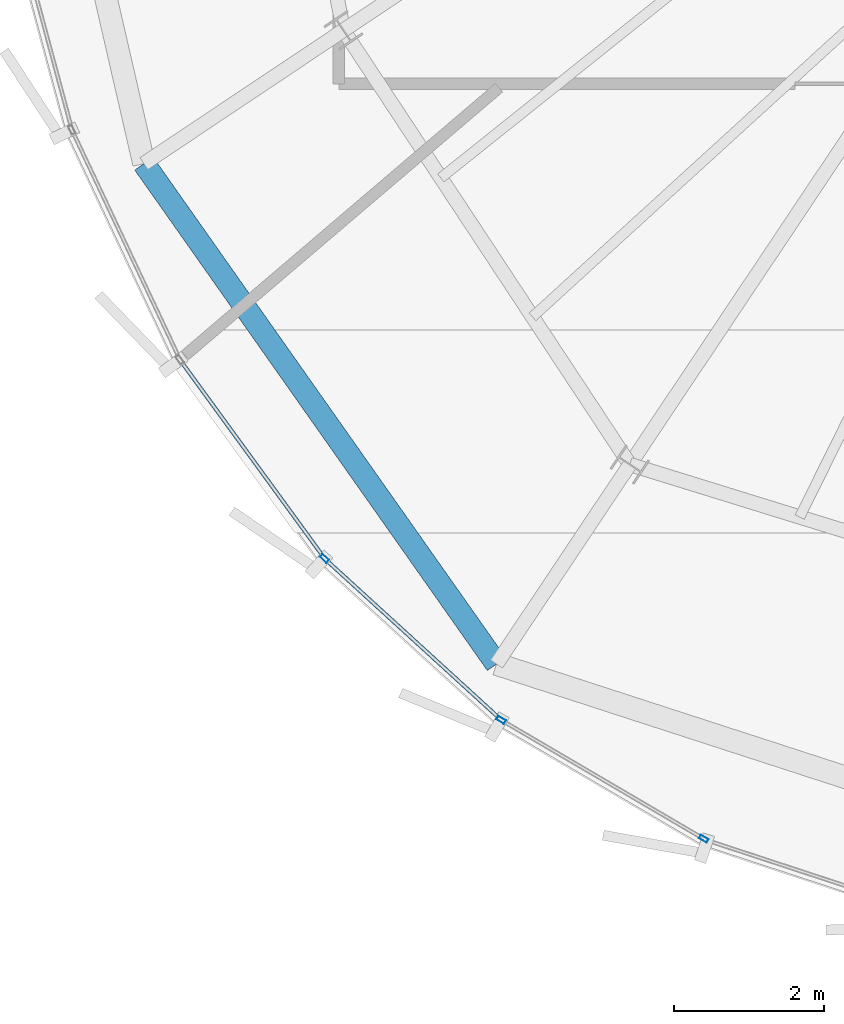
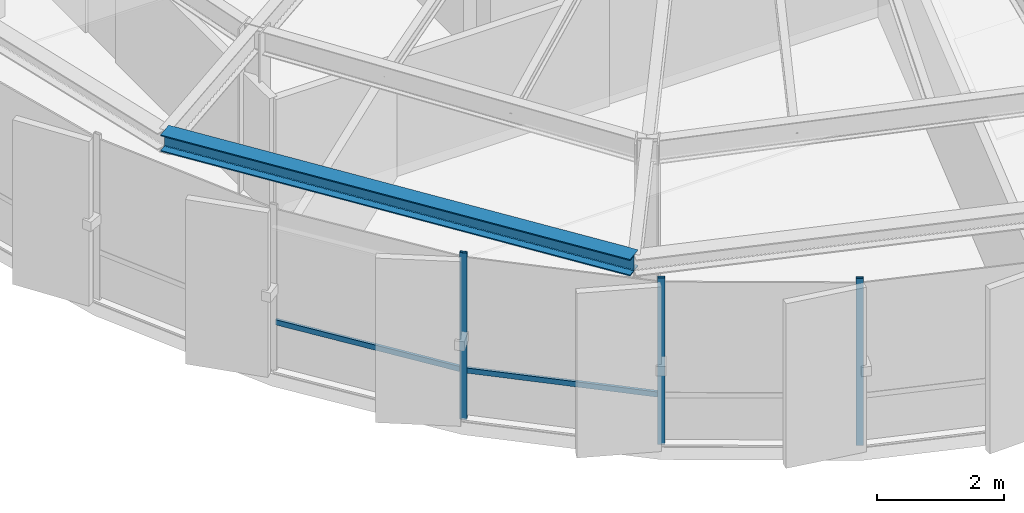
# One storey, part 2 of 30: 5 members, 1 beam, 1 element without a shape of its own.
"""IFC4 building model written with IfcOpenShell, lengths in metres."""

from ifc_helpers import new_model, si_unit, direction, frame, origin, origin_2d, place, context, subcontext, project, spatial, hollow_rectangle, i_section, extrude, source, transform, mapped, material, layer, layer_set, material_profile, profile_set, type_object, element, aggregate, save


model = new_model("IFC4")

# Units and contexts
model_context = context("Model", 3, precision=1e-05, world=origin(), true_north=direction((0.0, 1.0)))
body_context = subcontext(model_context, "Body", "Model", "MODEL_VIEW")
ifc_project = project(units=[si_unit("LENGTHUNIT", "METRE"), si_unit("AREAUNIT", "SQUARE_METRE"), si_unit("VOLUMEUNIT", "CUBIC_METRE"), si_unit("PLANEANGLEUNIT", "RADIAN"), si_unit("MASSUNIT", "GRAM", prefix="KILO"), si_unit("THERMODYNAMICTEMPERATUREUNIT", "KELVIN")], contexts=[model_context])

# Site, building, storey
site_placement = place(None, origin())
site = spatial("IfcSite", under=ifc_project, at=site_placement, CompositionType="ELEMENT")
building_placement = place(site_placement, origin())
building = spatial("IfcBuilding", under=site, at=building_placement, Name="Kethvar Cultural Tower", CompositionType="ELEMENT")
storey_placement = place(building_placement, frame((0.0, 0.0, 297.39990234375)))
storey = spatial("IfcBuildingStorey", under=building, at=storey_placement, Name="L79", CompositionType="ELEMENT", Elevation=297.39990234375)

# Beam
ifc_material_1 = material(Name="Steel S355J2", Category="steel")
ifc_material_profile_1 = material_profile(ifc_material_1, i_section(OverallWidth=0.300048828125, OverallDepth=0.320068359375, WebThickness=0.011474609375, FlangeThickness=0.0205078125, FilletRadius=0.027099609375, at=origin_2d()), Name="Steel S355J2 — HEB320")
ifc_profile_set_1 = profile_set([ifc_material_profile_1], Name="Steel S355J2 — HEB320")
beam_type = type_object("IfcBeamType", Name="BM-SP320", PredefinedType="SPANDREL", material=ifc_profile_set_1)
shared_shape_1 = source(origin(), body_context, "Body", "SweptSolid", [
    extrude(i_section(OverallWidth=0.300048828125, OverallDepth=0.320068359375, WebThickness=0.011474609375, FlangeThickness=0.0205078125, FilletRadius=0.027099609375, at=origin_2d()), origin(), (0.0, 0.0, 1.0), 8.16259765625),
])
beam_placement = place(storey_placement, frame((30.252197265625, 16.7431640625, 3.048095703125), z_axis=(0.575940812748, -0.817491394579, 0.0), x_axis=(0.817491394579, 0.575940812748, 0.0)))
element("IfcBeam", 1, at=beam_placement, inside=storey, type_object=beam_type, Name="L79 Perimeter Spandrel Beam SP-10", PredefinedType="SPANDREL", context=body_context, shape_type="MappedRepresentation", body=[
    mapped(shared_shape_1, transform((0.0, 0.0, 0.0), scale=1.0)),
])

# Curtain wall, members
ifc_material_2 = material(Name="Aluminium 6063-T6", Category="aluminium")
ifc_layer = layer(ifc_material_2, 0.179931640625, Name="Aluminium 6063-T6", Category="aluminium")
ifc_layer_set = layer_set([ifc_layer], Name="Aluminium 6063-T6 (180 mm)")
curtain_wall_type = type_object("IfcCurtainWallType", Name="CW-SYS-05-Z56", PredefinedType="NOTDEFINED", material=ifc_layer_set)
curtain_wall_placement = place(storey_placement, origin())
curtain_wall = element("IfcCurtainWall", 2, at=curtain_wall_placement, inside=storey, type_object=curtain_wall_type, Name="L79 Curtain Wall Run 03", PredefinedType="NOTDEFINED")
ifc_material_profile_2 = material_profile(ifc_material_2, hollow_rectangle(XDim=0.054931640625, YDim=0.1201171875, WallThickness=0.00390625, at=origin_2d()), Name="Aluminium 6063-T6 — RHS120x55x4")
ifc_profile_set_2 = profile_set([ifc_material_profile_2], Name="Aluminium 6063-T6 — RHS120x55x4")
member_type_1 = type_object("IfcMemberType", Name="CW-SYS-05-Z56-MUL", PredefinedType="MULLION", material=ifc_profile_set_2)
shared_shape_2 = source(origin(), body_context, "Body", "SweptSolid", [
    extrude(hollow_rectangle(XDim=0.054931640625, YDim=0.1201171875, WallThickness=0.00390625, at=origin_2d()), origin(), (0.0, 0.0, 1.0), 3.210205078125),
])
member_1_placement = place(storey_placement, frame((32.658447265625, 11.478515625, 0.0), z_axis=(0.0, 0.0, 1.0), x_axis=(0.674315275958, 0.738443571717, 0.0)))
member_1 = element("IfcMember", 3, at=member_1_placement, type_object=member_type_1, Name="CW-L79-R03 Mullion 5", PredefinedType="MULLION", context=body_context, shape_type="MappedRepresentation", body=[
    mapped(shared_shape_2, transform((0.0, 0.0, 0.0), scale=1.0)),
])
member_2_placement = place(storey_placement, frame((35.01416015625, 9.32470703125, 0.0), z_axis=(0.0, 0.0, 1.0), x_axis=(0.505913329562, 0.862584316442, 0.0)))
member_2 = element("IfcMember", 4, at=member_2_placement, type_object=member_type_1, Name="CW-L79-R03 Mullion 6", PredefinedType="MULLION", context=body_context, shape_type="MappedRepresentation", body=[
    mapped(shared_shape_2, transform((0.0, 0.0, 0.0), scale=1.0)),
])
member_3_placement = place(storey_placement, frame((37.71533203125, 7.740234375, 0.0), z_axis=(0.0, 0.0, 1.0), x_axis=(0.505913329562, 0.862584316442, 0.0)))
member_3 = element("IfcMember", 5, at=member_3_placement, type_object=member_type_1, Name="CW-L79-R03 Mullion 7", PredefinedType="MULLION", context=body_context, shape_type="MappedRepresentation", body=[
    mapped(shared_shape_2, transform((0.0, 0.0, 0.0), scale=1.0)),
])
ifc_material_profile_3 = material_profile(ifc_material_2, hollow_rectangle(XDim=0.050048828125, YDim=0.10009765625, WallThickness=0.00390625, at=origin_2d()), Name="Aluminium 6063-T6 — RHS100x50x4")
ifc_profile_set_3 = profile_set([ifc_material_profile_3], Name="Aluminium 6063-T6 — RHS100x50x4")
member_type_2 = type_object("IfcMemberType", Name="CW-SYS-05-Z56-TRN", PredefinedType="USERDEFINED", material=ifc_profile_set_3)
shared_shape_3 = source(origin(), body_context, "Body", "SweptSolid", [
    extrude(hollow_rectangle(XDim=0.050048828125, YDim=0.10009765625, WallThickness=0.00390625, at=origin_2d()), origin(), (0.0, 0.0, 1.0), 3.21728515625),
])
member_4_placement = place(storey_placement, frame((30.75439453125, 14.09619140625, 0.9501953125), z_axis=(0.588771622064, -0.808299435266, 0.0), x_axis=(0.808299435266, 0.588771622064, 0.0)))
member_4 = element("IfcMember", 6, at=member_4_placement, type_object=member_type_2, Name="CW-L79-R03 Transom 4", ObjectType="TRANSOM", PredefinedType="USERDEFINED", context=body_context, shape_type="MappedRepresentation", body=[
    mapped(shared_shape_3, transform((0.0, 0.0, 0.0), scale=1.0)),
])
shared_shape_4 = source(origin(), body_context, "Body", "SweptSolid", [
    extrude(hollow_rectangle(XDim=0.050048828125, YDim=0.10009765625, WallThickness=0.00390625, at=origin_2d()), origin(), (0.0, 0.0, 1.0), 3.133544921875),
])
member_5_placement = place(storey_placement, frame((32.687744140625, 11.451904296875, 0.9501953125), z_axis=(0.738439950484, -0.674319241553, 0.0), x_axis=(0.674319241553, 0.738439950484, 0.0)))
member_5 = element("IfcMember", 7, at=member_5_placement, type_object=member_type_2, Name="CW-L79-R03 Transom 5", ObjectType="TRANSOM", PredefinedType="USERDEFINED", context=body_context, shape_type="MappedRepresentation", body=[
    mapped(shared_shape_4, transform((0.0, 0.0, 0.0), scale=1.0)),
])
aggregate(curtain_wall, [member_1, member_2, member_3, member_4, member_5])

save(model, "model.ifc")
